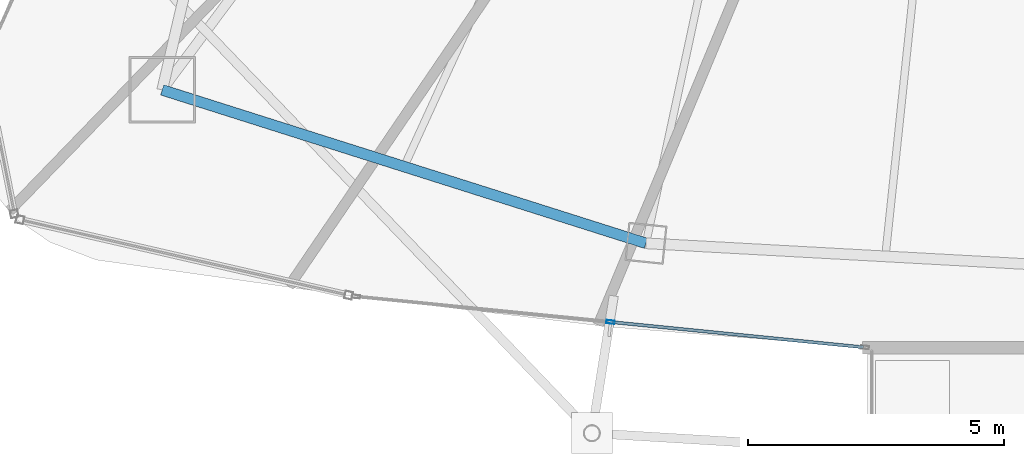
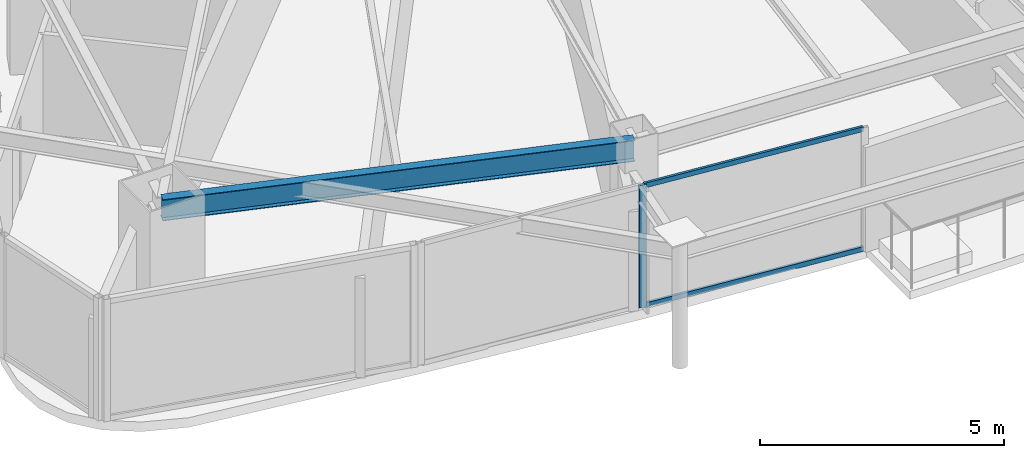
# One storey, part 4 of 29: 3 members, 1 beam, 1 element without a shape of its own.
"""IFC4 building model written with IfcOpenShell, lengths in metres."""

from ifc_helpers import new_model, si_unit, direction, frame, origin, origin_2d, place, context, subcontext, project, spatial, hollow_rectangle, i_section, extrude, material, layer, layer_set, material_profile, profile_set, type_object, element, aggregate, save


model = new_model("IFC4")

# Units and contexts
model_context = context("Model", 3, precision=1e-05, world=origin(), true_north=direction((0.0, 1.0)))
body_context = subcontext(model_context, "Body", "Model", "MODEL_VIEW")
ifc_project = project(units=[si_unit("LENGTHUNIT", "METRE"), si_unit("AREAUNIT", "SQUARE_METRE"), si_unit("VOLUMEUNIT", "CUBIC_METRE"), si_unit("PLANEANGLEUNIT", "RADIAN"), si_unit("MASSUNIT", "GRAM", prefix="KILO")], contexts=[model_context])

# Site, building, storey
site_placement = place(None, origin())
site = spatial("IfcSite", under=ifc_project, at=site_placement, CompositionType="ELEMENT")
building_placement = place(site_placement, origin())
building = spatial("IfcBuilding", under=site, at=building_placement, Name="Orvanel Arch Residences", CompositionType="ELEMENT")
storey_placement = place(building_placement, frame((0.0, 0.0, 246.949951171875)))
storey = spatial("IfcBuildingStorey", under=building, at=storey_placement, Name="L70", CompositionType="ELEMENT", Elevation=246.949951171875)

# Curtain wall, member
ifc_material_1 = material(Name="Bronze-anodised aluminium AA6063-T6", Category="aluminium")
ifc_layer = layer(ifc_material_1, 0.175048828125)
ifc_layer_set = layer_set([ifc_layer], Name="Bronze-anodised aluminium AA6063-T6")
curtain_wall_type = type_object("IfcCurtainWallType", Name="CW4-HI-SYS", PredefinedType="NOTDEFINED", material=ifc_layer_set)
curtain_wall_placement = place(storey_placement, origin())
curtain_wall = element("IfcCurtainWall", 1, at=curtain_wall_placement, inside=storey, type_object=curtain_wall_type, Name="L70 CW4-HI-SYS Unitised Curtain Wall", PredefinedType="NOTDEFINED")
ifc_material_profile_1 = material_profile(ifc_material_1, hollow_rectangle(XDim=0.06494140625, YDim=0.159912109375, WallThickness=0.00390625, at=origin_2d()), Name="ALU160x65x4")
ifc_profile_set_1 = profile_set([ifc_material_profile_1], Name="Bronze-anodised aluminium AA6063-T6")
member_type_1 = type_object("IfcMemberType", Name="MUL-160x65", PredefinedType="MULLION", material=ifc_profile_set_1)
member_1_placement = place(storey_placement, frame((22.95556640625, 5.8173828125, 0.0), z_axis=(0.0, 0.0, 1.0), x_axis=(0.099356011792, 0.99505194986, 0.0)))
member_1 = element("IfcMember", 2, at=member_1_placement, type_object=member_type_1, Name="CW-S4 mullion 2", PredefinedType="MULLION", context=body_context, shape_type="SweptSolid", body=[
    extrude(hollow_rectangle(XDim=0.06494140625, YDim=0.159912109375, WallThickness=0.00390625, at=origin_2d()), origin(), (0.0, 0.0, 1.0), 3.06005859375),
])

# Beam
ifc_material_2 = material(Name="Structural steel AS/NZS 3679.1 Grade 300 (300 MPa)", Category="steel")
ifc_material_profile_2 = material_profile(ifc_material_2, i_section(OverallWidth=0.208984375, OverallDepth=0.532958984375, WebThickness=0.01025390625, FlangeThickness=0.015625, at=origin_2d()), Name="530UB92.4")
ifc_profile_set_2 = profile_set([ifc_material_profile_2], Name="Structural steel AS/NZS 3679.1 Grade 300 (300 MPa)")
beam_type = type_object("IfcBeamType", Name="SP-530UB", PredefinedType="SPANDREL", material=ifc_profile_set_2)
beam_placement = place(storey_placement, frame((14.198974609375, 10.35107421875, 2.79296875), z_axis=(0.953237386592, -0.302222574941, 0.0), x_axis=(0.302222574941, 0.953237386592, 0.0)))
element("IfcBeam", 3, at=beam_placement, inside=storey, type_object=beam_type, Name="L70 Perimeter Spandrel Beam 02", PredefinedType="SPANDREL", context=body_context, shape_type="SweptSolid", body=[
    extrude(i_section(OverallWidth=0.208984375, OverallDepth=0.532958984375, WebThickness=0.01025390625, FlangeThickness=0.015625, at=origin_2d()), origin(), (0.0, 0.0, 1.0), 9.91357421875),
])

# Member
ifc_material_profile_3 = material_profile(ifc_material_1, hollow_rectangle(XDim=0.06005859375, YDim=0.1201171875, WallThickness=0.00341796875, at=origin_2d()), Name="ALU120x60x3.5")
ifc_profile_set_3 = profile_set([ifc_material_profile_3], Name="Bronze-anodised aluminium AA6063-T6")
member_type_2 = type_object("IfcMemberType", Name="TRN-120x60", PredefinedType="USERDEFINED", material=ifc_profile_set_3)
member_2_placement = place(storey_placement, frame((22.98779296875, 5.814208984375, 0.030029296875), z_axis=(0.995053357637, -0.099341911881, 0.0), x_axis=(0.099341911881, 0.995053357637, 0.0)))
member_2 = element("IfcMember", 4, at=member_2_placement, type_object=member_type_2, Name="CW-S4 transom 2.1", ObjectType="TRANSOM", PredefinedType="USERDEFINED", context=body_context, shape_type="SweptSolid", body=[
    extrude(hollow_rectangle(XDim=0.06005859375, YDim=0.1201171875, WallThickness=0.00341796875, at=origin_2d()), origin(), (0.0, 0.0, 1.0), 4.929931640625),
])

member_3_placement = place(storey_placement, frame((22.98779296875, 5.814208984375, 3.030029296875), z_axis=(0.995053357637, -0.099341911881, 0.0), x_axis=(0.099341911881, 0.995053357637, 0.0)))
member_3 = element("IfcMember", 5, at=member_3_placement, type_object=member_type_2, Name="CW-S4 transom 2.2", ObjectType="TRANSOM", PredefinedType="USERDEFINED", context=body_context, shape_type="SweptSolid", body=[
    extrude(hollow_rectangle(XDim=0.06005859375, YDim=0.1201171875, WallThickness=0.00341796875, at=origin_2d()), origin(), (0.0, 0.0, 1.0), 4.929931640625),
])

aggregate(curtain_wall, [member_1, member_2, member_3])

save(model, "model.ifc")
